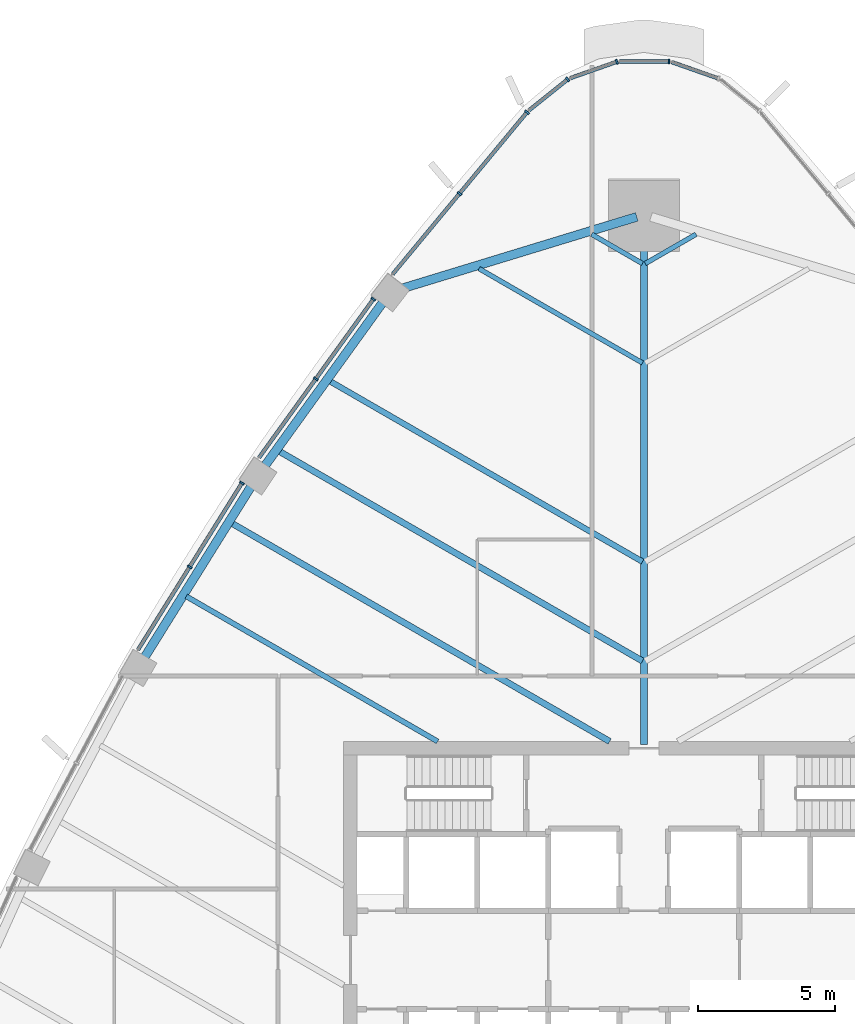
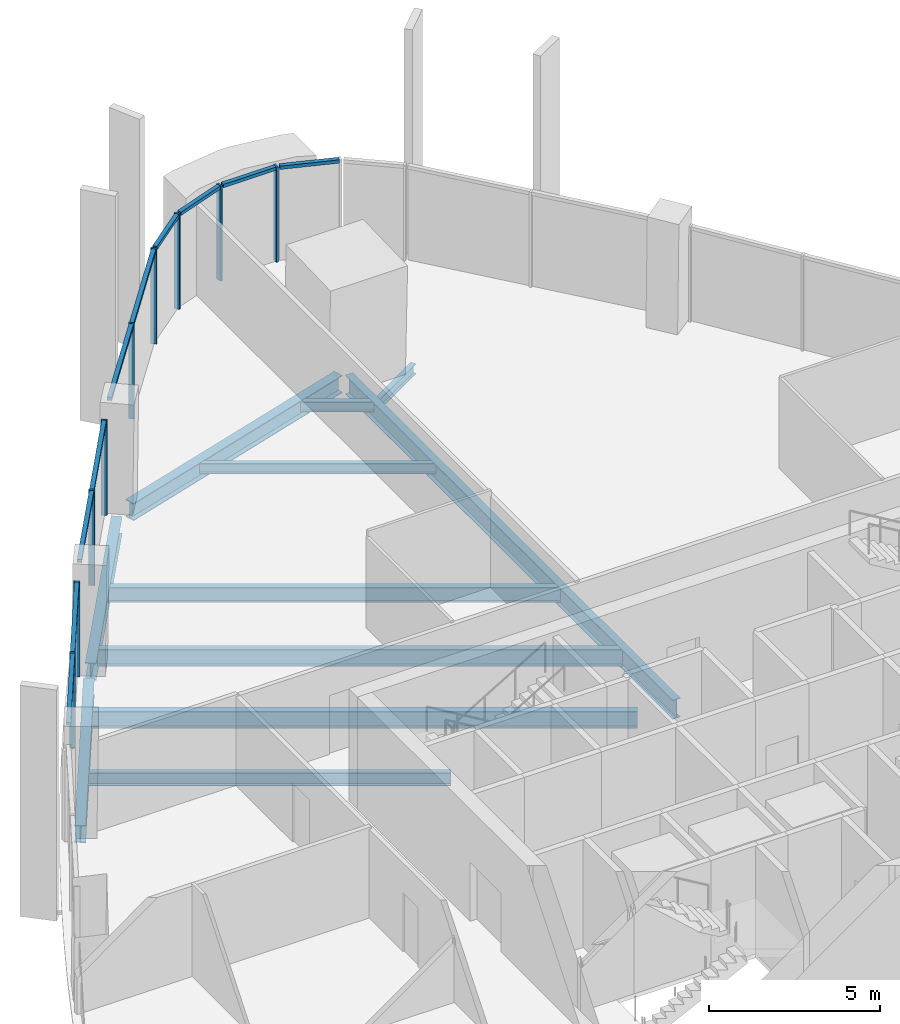
# One storey, part 6 of 19: 19 members, 11 beams, 7 elements without a shape of their own.
"""IFC4 building model written with IfcOpenShell, lengths in metres."""

import ifcopenshell
import ifcopenshell.guid

model = None  # the IFC model being written
_history = None  # IfcOwnerHistory: only IFC2X3 demands one
_inside = {}  # id of a spatial element -> (the spatial element, [elements in it])
_under = {}  # id of a project, library or spatial element -> (it, [spatial elements below it])
_declared = {}  # id of a project -> (the project, [libraries it declares])
_typed = {}  # id of a type object -> (the type object, [elements of that type])
_made_of = {}  # id of a material, layer set ... -> (it, [elements and type objects made of it])


def new_model(schema):
    """Start an empty IFC model of exactly this schema.

    Asked for "IFC4X3", IfcOpenShell would pick the latest addendum, in which some entities
    have other attributes; the version numbers below select the first issue.
    IFC2X3 requires an IfcOwnerHistory on every rooted entity: one is made here for all.
    """
    global model, _history
    if schema == "IFC4X3":
        model = ifcopenshell.file(schema_version=(4, 3, 0, 0))
    else:
        model = ifcopenshell.file(schema=schema)
    _inside.clear()
    _under.clear()
    _declared.clear()
    _typed.clear()
    _made_of.clear()
    _history = None
    if model.schema == "IFC2X3":
        org = make("IfcOrganization", Name="unknown")
        user = make(
            "IfcPersonAndOrganization",
            ThePerson=make("IfcPerson", FamilyName="unknown"),
            TheOrganization=org,
        )
        app = make(
            "IfcApplication",
            ApplicationDeveloper=org,
            Version="unknown",
            ApplicationFullName="unknown",
            ApplicationIdentifier="unknown",
        )
        _history = make(
            "IfcOwnerHistory",
            OwningUser=user,
            OwningApplication=app,
            ChangeAction="ADDED",
            CreationDate=0,
        )
    return model


def make(cls, **values):
    """One entity of the class cls with the attributes given. An attribute that is None is left unset."""
    return model.create_entity(
        cls, **{name: value for name, value in values.items() if value is not None}
    )


def rooted(cls, **values):
    """An entity with a GlobalId (a new one), such as an element, a storey or a relation."""
    return make(cls, GlobalId=ifcopenshell.guid.new(), OwnerHistory=_history, **values)


def si_unit(unit_type, name, prefix=None):
    """IfcSIUnit, for example si_unit("LENGTHUNIT", "METRE", prefix="MILLI")."""
    return make("IfcSIUnit", UnitType=unit_type, Prefix=prefix, Name=name)


def assignment(units):
    """IfcUnitAssignment: the units of a project."""
    return None if units is None else make("IfcUnitAssignment", Units=units)


def point(xyz):
    """IfcCartesianPoint."""
    return None if xyz is None else make("IfcCartesianPoint", Coordinates=xyz)


def direction(xyz):
    """IfcDirection."""
    return None if xyz is None else make("IfcDirection", DirectionRatios=xyz)


def frame(location, z_axis=None, x_axis=None):
    """IfcAxis2Placement3D, a coordinate frame: its origin and axes. An axis left out is left unset."""
    return make(
        "IfcAxis2Placement3D",
        Location=point(location),
        Axis=direction(z_axis),
        RefDirection=direction(x_axis),
    )


def frame_2d(location, x_axis=None):
    """IfcAxis2Placement2D, a coordinate frame in the plane: its origin and x axis."""
    return make(
        "IfcAxis2Placement2D", Location=point(location), RefDirection=direction(x_axis)
    )


def origin():
    """The frame at (0, 0, 0) with its axes left unset."""
    return frame((0.0, 0.0, 0.0))


def origin_2d():
    """The frame at (0, 0) in the plane with its x axis left unset."""
    return frame_2d((0.0, 0.0))


def place(relative_to, where):
    """IfcLocalPlacement: puts the frame where relative to a parent placement (None: the world)."""
    return make(
        "IfcLocalPlacement", PlacementRelTo=relative_to, RelativePlacement=where
    )


def context(
    kind, dimensions, precision=None, world=None, true_north=None, identifier=None
):
    """IfcGeometricRepresentationContext, for example the 3D "Model" context."""
    return make(
        "IfcGeometricRepresentationContext",
        ContextIdentifier=identifier,
        ContextType=kind,
        CoordinateSpaceDimension=dimensions,
        Precision=precision,
        WorldCoordinateSystem=world,
        TrueNorth=true_north,
    )


def subcontext(parent, identifier, kind, view, scale=None):
    """IfcGeometricRepresentationSubContext, for example "Body" below "Model"."""
    return make(
        "IfcGeometricRepresentationSubContext",
        ContextIdentifier=identifier,
        ContextType=kind,
        ParentContext=parent,
        TargetScale=scale,
        TargetView=view,
    )


def project(units=None, contexts=None):
    """IfcProject with its units and contexts."""
    return rooted(
        "IfcProject",
        Name="project",
        RepresentationContexts=contexts,
        UnitsInContext=assignment(units),
    )


def spatial(cls, under=None, at=None, **own):
    """A site, building, storey or space (cls), placed at a placement, below another one or the project."""
    s = rooted(cls, ObjectPlacement=at, **own)
    if under is not None:
        _under.setdefault(under.id(), (under, []))[1].append(s)
    return s


def profile(cls, at=None, kind="AREA", **sizes):
    """A parametric profile (cls). Its sizes go by their IFC names, for example OverallWidth=200.0."""
    return make(cls, ProfileType=kind, Position=at, **sizes)


def rectangle(**sizes):
    """IfcRectangleProfileDef."""
    return profile("IfcRectangleProfileDef", **sizes)


def i_section(**sizes):
    """IfcIShapeProfileDef."""
    return profile("IfcIShapeProfileDef", **sizes)


def extrude(swept, where, along, depth):
    """IfcExtrudedAreaSolid: the profile swept, set in the frame where, extruded along a direction by depth."""
    return make(
        "IfcExtrudedAreaSolid",
        SweptArea=swept,
        Position=where,
        ExtrudedDirection=direction(along),
        Depth=depth,
    )


def shape(context_of_items, identifier, shape_type, items):
    """IfcShapeRepresentation: the items that make up one representation, for example the "Body"."""
    return make(
        "IfcShapeRepresentation",
        ContextOfItems=context_of_items,
        RepresentationIdentifier=identifier,
        RepresentationType=shape_type,
        Items=items,
    )


def material(Name=None, Category=None):
    """IfcMaterial."""
    return make("IfcMaterial", Name=Name, Category=Category)


def layer(
    of_material, thickness, ventilated=None, Name=None, Category=None, Priority=None
):
    """IfcMaterialLayer: one layer of a wall or slab, of a material (None: an air gap)."""
    return make(
        "IfcMaterialLayer",
        Material=of_material,
        LayerThickness=thickness,
        IsVentilated=ventilated,
        Name=Name,
        Category=Category,
        Priority=Priority,
    )


def layer_set(layers, Name=None):
    """IfcMaterialLayerSet."""
    return make("IfcMaterialLayerSet", MaterialLayers=layers, LayerSetName=Name)


def material_profile(
    of_material, cross_section, Name=None, Category=None, Priority=None
):
    """IfcMaterialProfile: a cross section and its material."""
    return make(
        "IfcMaterialProfile",
        Name=Name,
        Material=of_material,
        Profile=cross_section,
        Priority=Priority,
        Category=Category,
    )


def profile_set(profiles, Name=None, composite=None):
    """IfcMaterialProfileSet."""
    return make(
        "IfcMaterialProfileSet",
        Name=Name,
        MaterialProfiles=profiles,
        CompositeProfile=composite,
    )


def made_of(thing, what):
    """Note that an element or type object is made of a material, layer set ...; save() writes the relation."""
    if what is not None:
        _made_of.setdefault(what.id(), (what, []))[1].append(thing)
    return thing


def type_object(cls, material=None, **own):
    """A type object (cls), such as IfcWallType, which elements share."""
    return made_of(rooted(cls, **own), material)


def element(
    cls,
    number,
    at=None,
    inside=None,
    cuts=None,
    type_object=None,
    material=None,
    context=None,
    identifier="Body",
    shape_type=None,
    held_by="IfcProductDefinitionShape",
    body=None,
    shapes=None,
    **own,
):
    """One element of the class cls, such as IfcWall. Its Tag is "e" and its number.

    at: its placement. inside: the storey or other place that contains it. cuts: it is an
    opening in that element (IfcRelVoidsElement). A single representation is given by context,
    identifier, shape_type and body (its items); several are given by shapes. held_by: the class
    of the entity that holds the representations. save() writes the other relations.
    """
    e = rooted(cls, Tag="e%d" % number, ObjectPlacement=at, **own)
    if body is not None:
        shapes = [shape(context, identifier, shape_type, body)]
    if shapes is not None:
        e.Representation = make(held_by, Representations=shapes)
    if inside is not None:
        _inside.setdefault(inside.id(), (inside, []))[1].append(e)
    if cuts is not None:
        rooted(
            "IfcRelVoidsElement", RelatingBuildingElement=cuts, RelatedOpeningElement=e
        )
    if type_object is not None:
        _typed.setdefault(type_object.id(), (type_object, []))[1].append(e)
    return made_of(e, material)


def aggregate(whole, parts):
    """IfcRelAggregates: a whole, such as a stair, and the parts it consists of."""
    return rooted("IfcRelAggregates", RelatingObject=whole, RelatedObjects=parts)


def save(model, path):
    """Write the relations noted so far, then the file.

    IfcRelAggregates (storeys below a building ...), IfcRelContainedInSpatialStructure (elements
    in a storey), IfcRelDefinesByType, IfcRelAssociatesMaterial and IfcRelDeclares: one each for
    every whole, place, type object, material and project.
    """
    for whole, parts in _under.values():
        aggregate(whole, parts)
    for where, things in _inside.values():
        rooted(
            "IfcRelContainedInSpatialStructure",
            RelatedElements=things,
            RelatingStructure=where,
        )
    for kind, things in _typed.values():
        rooted("IfcRelDefinesByType", RelatedObjects=things, RelatingType=kind)
    for what, things in _made_of.values():
        rooted("IfcRelAssociatesMaterial", RelatedObjects=things, RelatingMaterial=what)
    for by, libraries in _declared.values():
        rooted("IfcRelDeclares", RelatingContext=by, RelatedDefinitions=libraries)
    model.write(path)


model = new_model("IFC4")

# Units and contexts
model_context = context("Model", 3, precision=1e-05, world=origin(), true_north=direction((0.0, 1.0)))
body_context = subcontext(model_context, "Body", "Model", "MODEL_VIEW")
ifc_project = project(units=[si_unit("LENGTHUNIT", "METRE"), si_unit("AREAUNIT", "SQUARE_METRE"), si_unit("VOLUMEUNIT", "CUBIC_METRE"), si_unit("PLANEANGLEUNIT", "RADIAN"), si_unit("MASSUNIT", "GRAM", prefix="KILO")], contexts=[model_context])

# Site, building, storey
site_placement = place(None, origin())
site = spatial("IfcSite", under=ifc_project, at=site_placement, CompositionType="ELEMENT")
building_placement = place(site_placement, origin())
building = spatial("IfcBuilding", under=site, at=building_placement, Name="Sierra Prisma Convention Tower", CompositionType="ELEMENT")
storey_placement = place(building_placement, frame((0.0, 0.0, 177.800048828125)))
storey = spatial("IfcBuildingStorey", under=building, at=storey_placement, Name="L39", CompositionType="ELEMENT", Elevation=177.800048828125)

# Curtain wall, member
ifc_material_1 = material(Name="Aluminium and glass curtain wall", Category="aluminium")
ifc_layer = layer(ifc_material_1, 0.179931640625)
ifc_layer_set = layer_set([ifc_layer], Name="CW-1 Plain shaft curtain wall")
curtain_wall_type = type_object("IfcCurtainWallType", Name="CW-1 Plain shaft curtain wall", PredefinedType="NOTDEFINED", material=ifc_layer_set)
curtain_wall_1_placement = place(storey_placement, origin())
curtain_wall_1 = element("IfcCurtainWall", 1, at=curtain_wall_1_placement, inside=storey, type_object=curtain_wall_type, Name="CW-1 N3 L39", PredefinedType="NOTDEFINED")
ifc_material_2 = material(Name="Aluminium 6063-T6 bronze anodised", Category="aluminium")
ifc_material_profile_1 = material_profile(ifc_material_2, rectangle(XDim=0.179931640625, YDim=0.070068359375, at=origin_2d()), Name="ALU MULLION 70x180")
ifc_profile_set_1 = profile_set([ifc_material_profile_1], Name="Aluminium 6063-T6 bronze anodised")
member_type_1 = type_object("IfcMemberType", Name="CW mullion bronze", PredefinedType="MULLION", material=ifc_profile_set_1)
member_1_placement = place(storey_placement, frame((0.922119140625, 32.9033203125, 0.0), z_axis=(0.0, 0.0, 1.0), x_axis=(0.0, -1.0, 0.0)))
member_1 = element("IfcMember", 2, at=member_1_placement, type_object=member_type_1, Name="CW-1 mullion N3.1", PredefinedType="MULLION", context=body_context, shape_type="SweptSolid", body=[
    extrude(rectangle(XDim=0.179931640625, YDim=0.070068359375, at=origin_2d()), origin(), (0.0, 0.0, 1.0), 3.39990234375),
])

curtain_wall_2_placement = place(storey_placement, origin())
curtain_wall_2 = element("IfcCurtainWall", 3, at=curtain_wall_2_placement, inside=storey, type_object=curtain_wall_type, Name="CW-1 N4 L39", PredefinedType="NOTDEFINED")
member_2_placement = place(storey_placement, frame((-0.989990234375, 32.8916015625, 0.0), z_axis=(0.0, 0.0, 1.0), x_axis=(0.331436339558, -0.943477584694, 0.0)))
member_2 = element("IfcMember", 4, at=member_2_placement, type_object=member_type_1, Name="CW-1 mullion N4.1", PredefinedType="MULLION", context=body_context, shape_type="SweptSolid", body=[
    extrude(rectangle(XDim=0.179931640625, YDim=0.070068359375, at=origin_2d()), origin(), (0.0, 0.0, 1.0), 3.39990234375),
])

curtain_wall_3_placement = place(storey_placement, origin())
curtain_wall_3 = element("IfcCurtainWall", 5, at=curtain_wall_3_placement, inside=storey, type_object=curtain_wall_type, Name="CW-1 N5 L39", PredefinedType="NOTDEFINED")
member_3_placement = place(storey_placement, frame((-2.790283203125, 32.2470703125, 0.0), z_axis=(0.0, 0.0, 1.0), x_axis=(0.625405514252, -0.780299905641, 0.0)))
member_3 = element("IfcMember", 6, at=member_3_placement, type_object=member_type_1, Name="CW-1 mullion N5.1", PredefinedType="MULLION", context=body_context, shape_type="SweptSolid", body=[
    extrude(rectangle(XDim=0.179931640625, YDim=0.070068359375, at=origin_2d()), origin(), (0.0, 0.0, 1.0), 3.39990234375),
])

# Curtain wall, members
curtain_wall_4_placement = place(storey_placement, origin())
curtain_wall_4 = element("IfcCurtainWall", 7, at=curtain_wall_4_placement, inside=storey, type_object=curtain_wall_type, Name="CW-1 NW1 L39", PredefinedType="NOTDEFINED")
member_4_placement = place(storey_placement, frame((-4.27880859375, 31.044921875, 0.0), z_axis=(0.0, 0.0, 1.0), x_axis=(0.769677701385, -0.638432640136, 0.0)))
member_4 = element("IfcMember", 8, at=member_4_placement, type_object=member_type_1, Name="CW-1 mullion NW1.1", PredefinedType="MULLION", context=body_context, shape_type="SweptSolid", body=[
    extrude(rectangle(XDim=0.179931640625, YDim=0.070068359375, at=origin_2d()), origin(), (0.0, 0.0, 1.0), 3.39990234375),
])
member_5_placement = place(storey_placement, frame((-6.751220703125, 28.064208984375, 0.0), z_axis=(0.0, 0.0, 1.0), x_axis=(0.769677701385, -0.638432640136, 0.0)))
member_5 = element("IfcMember", 9, at=member_5_placement, type_object=member_type_1, Name="CW-1 mullion NW1.2", PredefinedType="MULLION", context=body_context, shape_type="SweptSolid", body=[
    extrude(rectangle(XDim=0.179931640625, YDim=0.070068359375, at=origin_2d()), origin(), (0.0, 0.0, 1.0), 3.39990234375),
])

curtain_wall_5_placement = place(storey_placement, origin())
curtain_wall_5 = element("IfcCurtainWall", 10, at=curtain_wall_5_placement, inside=storey, type_object=curtain_wall_type, Name="CW-1 NW2 L39", PredefinedType="NOTDEFINED")
member_6_placement = place(storey_placement, frame((-9.904296875, 24.20166015625, 0.0), z_axis=(0.0, 0.0, 1.0), x_axis=(0.811012496314, -0.585028829053, 0.0)))
member_6 = element("IfcMember", 11, at=member_6_placement, type_object=member_type_1, Name="CW-1 mullion NW2.1", PredefinedType="MULLION", context=body_context, shape_type="SweptSolid", body=[
    extrude(rectangle(XDim=0.179931640625, YDim=0.070068359375, at=origin_2d()), origin(), (0.0, 0.0, 1.0), 3.39990234375),
])
member_7_placement = place(storey_placement, frame((-12.0107421875, 21.281494140625, 0.0), z_axis=(0.0, 0.0, 1.0), x_axis=(0.811012496314, -0.585028829053, 0.0)))
member_7 = element("IfcMember", 12, at=member_7_placement, type_object=member_type_1, Name="CW-1 mullion NW2.2", PredefinedType="MULLION", context=body_context, shape_type="SweptSolid", body=[
    extrude(rectangle(XDim=0.179931640625, YDim=0.070068359375, at=origin_2d()), origin(), (0.0, 0.0, 1.0), 3.39990234375),
])

curtain_wall_6_placement = place(storey_placement, origin())
curtain_wall_6 = element("IfcCurtainWall", 13, at=curtain_wall_6_placement, inside=storey, type_object=curtain_wall_type, Name="CW-1 NW3 L39", PredefinedType="NOTDEFINED")
member_8_placement = place(storey_placement, frame((-14.7197265625, 17.462890625, 0.0), z_axis=(0.0, 0.0, 1.0), x_axis=(0.84864864254, -0.528956975108, 0.0)))
member_8 = element("IfcMember", 14, at=member_8_placement, type_object=member_type_1, Name="CW-1 mullion NW3.1", PredefinedType="MULLION", context=body_context, shape_type="SweptSolid", body=[
    extrude(rectangle(XDim=0.179931640625, YDim=0.070068359375, at=origin_2d()), origin(), (0.0, 0.0, 1.0), 3.39990234375),
])
member_9_placement = place(storey_placement, frame((-16.632568359375, 14.393798828125, 0.0), z_axis=(0.0, 0.0, 1.0), x_axis=(0.84864864254, -0.528956975108, 0.0)))
member_9 = element("IfcMember", 15, at=member_9_placement, type_object=member_type_1, Name="CW-1 mullion NW3.2", PredefinedType="MULLION", context=body_context, shape_type="SweptSolid", body=[
    extrude(rectangle(XDim=0.179931640625, YDim=0.070068359375, at=origin_2d()), origin(), (0.0, 0.0, 1.0), 3.39990234375),
])

# Curtain wall, member
curtain_wall_7_placement = place(storey_placement, origin())
curtain_wall_7 = element("IfcCurtainWall", 16, at=curtain_wall_7_placement, inside=storey, type_object=curtain_wall_type, Name="CW-1 N2 L39", PredefinedType="NOTDEFINED")
ifc_material_3 = material(Name="Aluminium 6063-T6 bronze anodised", Category="aluminium")
ifc_material_profile_2 = material_profile(ifc_material_3, rectangle(XDim=0.139892578125, YDim=0.1201171875, at=origin_2d()), Name="ALU TRANSOM 120x140")
ifc_profile_set_2 = profile_set([ifc_material_profile_2], Name="Aluminium 6063-T6 bronze anodised")
member_type_2 = type_object("IfcMemberType", Name="CW transom bronze", PredefinedType="USERDEFINED", material=ifc_profile_set_2)
member_10_placement = place(storey_placement, frame((2.69677734375, 32.2919921875, 3.33984375), z_axis=(-0.943439198285, 0.331545591345, 0.0), x_axis=(-0.331545591345, -0.943439198285, 0.0)))
member_10 = element("IfcMember", 17, at=member_10_placement, type_object=member_type_2, Name="CW-1 transom N2.1", ObjectType="TRANSOM", PredefinedType="USERDEFINED", context=body_context, shape_type="SweptSolid", body=[
    extrude(rectangle(XDim=0.139892578125, YDim=0.1201171875, at=origin_2d()), origin(), (0.0, 0.0, 1.0), 1.77392578125),
])
aggregate(curtain_wall_7, [member_10])

# Member
member_11_placement = place(storey_placement, frame((0.886962890625, 32.9033203125, 3.33984375), z_axis=(-1.0, 0.0, 0.0), x_axis=(0.0, -1.0, 0.0)))
member_11 = element("IfcMember", 18, at=member_11_placement, type_object=member_type_2, Name="CW-1 transom N3.1", ObjectType="TRANSOM", PredefinedType="USERDEFINED", context=body_context, shape_type="SweptSolid", body=[
    extrude(rectangle(XDim=0.139892578125, YDim=0.1201171875, at=origin_2d()), origin(), (0.0, 0.0, 1.0), 1.77392578125),
])

aggregate(curtain_wall_1, [member_1, member_11])

member_12_placement = place(storey_placement, frame((-1.023193359375, 32.880126953125, 3.33984375), z_axis=(-0.943439198285, -0.331545591345, 0.0), x_axis=(0.331545591345, -0.943439198285, 0.0)))
member_12 = element("IfcMember", 19, at=member_12_placement, type_object=member_type_2, Name="CW-1 transom N4.1", ObjectType="TRANSOM", PredefinedType="USERDEFINED", context=body_context, shape_type="SweptSolid", body=[
    extrude(rectangle(XDim=0.139892578125, YDim=0.1201171875, at=origin_2d()), origin(), (0.0, 0.0, 1.0), 1.77392578125),
])

aggregate(curtain_wall_2, [member_2, member_12])

member_13_placement = place(storey_placement, frame((-2.817626953125, 32.22509765625, 3.33984375), z_axis=(-0.780264290728, -0.62544994733, 0.0), x_axis=(0.62544994733, -0.780264290728, 0.0)))
member_13 = element("IfcMember", 20, at=member_13_placement, type_object=member_type_2, Name="CW-1 transom N5.1", ObjectType="TRANSOM", PredefinedType="USERDEFINED", context=body_context, shape_type="SweptSolid", body=[
    extrude(rectangle(XDim=0.139892578125, YDim=0.1201171875, at=origin_2d()), origin(), (0.0, 0.0, 1.0), 1.774169921875),
])

aggregate(curtain_wall_3, [member_3, member_13])

member_14_placement = place(storey_placement, frame((-4.301025390625, 31.017822265625, 3.33984375), z_axis=(-0.638477815793, -0.76964022682, 0.0), x_axis=(0.76964022682, -0.638477815793, 0.0)))
member_14 = element("IfcMember", 21, at=member_14_placement, type_object=member_type_2, Name="CW-1 transom NW1.1", ObjectType="TRANSOM", PredefinedType="USERDEFINED", context=body_context, shape_type="SweptSolid", body=[
    extrude(rectangle(XDim=0.139892578125, YDim=0.1201171875, at=origin_2d()), origin(), (0.0, 0.0, 1.0), 3.802734375),
])

member_15_placement = place(storey_placement, frame((-6.773681640625, 28.037109375, 3.33984375), z_axis=(-0.638439784311, -0.769671775375, 0.0), x_axis=(0.769671775375, -0.638439784311, 0.0)))
member_15 = element("IfcMember", 22, at=member_15_placement, type_object=member_type_2, Name="CW-1 transom NW1.2", ObjectType="TRANSOM", PredefinedType="USERDEFINED", context=body_context, shape_type="SweptSolid", body=[
    extrude(rectangle(XDim=0.139892578125, YDim=0.1201171875, at=origin_2d()), origin(), (0.0, 0.0, 1.0), 3.802490234375),
])

aggregate(curtain_wall_4, [member_4, member_5, member_14, member_15])

member_16_placement = place(storey_placement, frame((-9.9248046875, 24.173095703125, 3.33984375), z_axis=(-0.585025890948, -0.811014615726, 0.0), x_axis=(0.811014615726, -0.585025890948, 0.0)))
member_16 = element("IfcMember", 23, at=member_16_placement, type_object=member_type_2, Name="CW-1 transom NW2.1", ObjectType="TRANSOM", PredefinedType="USERDEFINED", context=body_context, shape_type="SweptSolid", body=[
    extrude(rectangle(XDim=0.139892578125, YDim=0.1201171875, at=origin_2d()), origin(), (0.0, 0.0, 1.0), 3.530517578125),
])

member_17_placement = place(storey_placement, frame((-12.03125, 21.253173828125, 3.33984375), z_axis=(-0.585025890948, -0.811014615726, 0.0), x_axis=(0.811014615726, -0.585025890948, 0.0)))
member_17 = element("IfcMember", 24, at=member_17_placement, type_object=member_type_2, Name="CW-1 transom NW2.2", ObjectType="TRANSOM", PredefinedType="USERDEFINED", context=body_context, shape_type="SweptSolid", body=[
    extrude(rectangle(XDim=0.139892578125, YDim=0.1201171875, at=origin_2d()), origin(), (0.0, 0.0, 1.0), 3.530517578125),
])

aggregate(curtain_wall_5, [member_6, member_7, member_16, member_17])

member_18_placement = place(storey_placement, frame((-14.73828125, 17.433349609375, 3.33984375), z_axis=(-0.528958995283, -0.848647383375, 0.0), x_axis=(0.848647383375, -0.528958995283, 0.0)))
member_18 = element("IfcMember", 25, at=member_18_placement, type_object=member_type_2, Name="CW-1 transom NW3.1", ObjectType="TRANSOM", PredefinedType="USERDEFINED", context=body_context, shape_type="SweptSolid", body=[
    extrude(rectangle(XDim=0.139892578125, YDim=0.1201171875, at=origin_2d()), origin(), (0.0, 0.0, 1.0), 3.546630859375),
])

member_19_placement = place(storey_placement, frame((-16.651123046875, 14.3642578125, 3.33984375), z_axis=(-0.528958995283, -0.848647383375, 0.0), x_axis=(0.848647383375, -0.528958995283, 0.0)))
member_19 = element("IfcMember", 26, at=member_19_placement, type_object=member_type_2, Name="CW-1 transom NW3.2", ObjectType="TRANSOM", PredefinedType="USERDEFINED", context=body_context, shape_type="SweptSolid", body=[
    extrude(rectangle(XDim=0.139892578125, YDim=0.1201171875, at=origin_2d()), origin(), (0.0, 0.0, 1.0), 3.546630859375),
])

aggregate(curtain_wall_6, [member_8, member_9, member_18, member_19])

# Beams
ifc_material_4 = material(Name="Steel ASTM A992 Gr 50", Category="steel")
ifc_material_profile_3 = material_profile(ifc_material_4, i_section(OverallWidth=0.172119140625, OverallDepth=0.35791015625, WebThickness=0.0078125, FlangeThickness=0.01318359375, at=origin_2d()), Name="W360x57")
ifc_profile_set_3 = profile_set([ifc_material_profile_3], Name="Steel ASTM A992 Gr 50")
beam_type_1 = type_object("IfcBeamType", Name="Floor joist W360x57", PredefinedType="JOIST", material=ifc_profile_set_3)
for number, where, z_axis, x_axis, name in (
    (27, (1.91259765625, 26.576171875, -0.3291015625), (-0.866019166195, -0.500010803666, 0.0), (0.500010803666, -0.866019166195, 0.0), "Floor joist L39 NE15"),
    (28, (-1.91259765625, 26.576171875, -0.3291015625), (0.866019166195, -0.500010803666, 0.0), (0.500010803666, 0.866019166195, 0.0), "Floor joist L39 NW01"),
):
    element("IfcBeam", number, at=place(storey_placement, frame(where, z_axis=z_axis, x_axis=x_axis)), inside=storey, type_object=beam_type_1, Name=name, PredefinedType="JOIST", context=body_context, shape_type="SweptSolid", body=[
        extrude(i_section(OverallWidth=0.172119140625, OverallDepth=0.35791015625, WebThickness=0.0078125, FlangeThickness=0.01318359375, at=origin_2d()), origin(), (0.0, 0.0, 1.0), 2.14990234375),
    ])
beam_1_placement = place(storey_placement, frame((-6.0361328125, 25.318115234375, -0.3291015625), z_axis=(0.866030286288, -0.49999154316, 0.0), x_axis=(0.49999154316, 0.866030286288, 0.0)))
element("IfcBeam", 29, at=beam_1_placement, inside=storey, type_object=beam_type_1, Name="Floor joist L39 NW02", PredefinedType="JOIST", context=body_context, shape_type="SweptSolid", body=[
    extrude(i_section(OverallWidth=0.172119140625, OverallDepth=0.35791015625, WebThickness=0.0078125, FlangeThickness=0.01318359375, at=origin_2d()), origin(), (0.0, 0.0, 1.0), 6.9111328125),
])
ifc_material_5 = material(Name="Steel ASTM A992 Gr 50", Category="steel")
ifc_material_profile_4 = material_profile(ifc_material_5, i_section(OverallWidth=0.18994140625, OverallDepth=0.45703125, WebThickness=0.009033203125, FlangeThickness=0.014404296875, at=origin_2d()), Name="W460x74")
ifc_profile_set_4 = profile_set([ifc_material_profile_4], Name="Steel ASTM A992 Gr 50")
beam_type_2 = type_object("IfcBeamType", Name="Floor joist W460x74", PredefinedType="JOIST", material=ifc_profile_set_4)
beam_2_placement = place(storey_placement, frame((-16.760009765625, 13.3154296875, -0.378662109375), z_axis=(0.86601845549, -0.500012034605, 0.0), x_axis=(0.500012034605, 0.86601845549, 0.0)))
element("IfcBeam", 30, at=beam_2_placement, inside=storey, type_object=beam_type_2, Name="Floor joist L39 NW07", PredefinedType="JOIST", context=body_context, shape_type="SweptSolid", body=[
    extrude(i_section(OverallWidth=0.18994140625, OverallDepth=0.45703125, WebThickness=0.009033203125, FlangeThickness=0.014404296875, at=origin_2d()), origin(), (0.0, 0.0, 1.0), 10.630615234375),
])
ifc_material_6 = material(Name="Steel ASTM A992 Gr 50", Category="steel")
ifc_material_profile_5 = material_profile(ifc_material_6, i_section(OverallWidth=0.208984375, OverallDepth=0.532958984375, WebThickness=0.01025390625, FlangeThickness=0.015625, at=origin_2d()), Name="W530x92")
ifc_profile_set_5 = profile_set([ifc_material_profile_5], Name="Steel ASTM A992 Gr 50")
beam_type_3 = type_object("IfcBeamType", Name="Floor joist W530x92", PredefinedType="JOIST", material=ifc_profile_set_5)
beam_3_placement = place(storey_placement, frame((-11.501953125, 21.196044921875, -0.41650390625), z_axis=(0.86602569981, -0.499999487269, 0.0), x_axis=(0.499999487269, 0.86602569981, 0.0)))
element("IfcBeam", 31, at=beam_3_placement, inside=storey, type_object=beam_type_3, Name="Floor joist L39 NW04", PredefinedType="JOIST", context=body_context, shape_type="SweptSolid", body=[
    extrude(i_section(OverallWidth=0.208984375, OverallDepth=0.532958984375, WebThickness=0.01025390625, FlangeThickness=0.015625, at=origin_2d()), origin(), (0.0, 0.0, 1.0), 13.22265625),
])
ifc_material_7 = material(Name="Steel ASTM A992 Gr 50", Category="steel")
ifc_material_profile_6 = material_profile(ifc_material_7, i_section(OverallWidth=0.22802734375, OverallDepth=0.60302734375, WebThickness=0.010498046875, FlangeThickness=0.014892578125, at=origin_2d()), Name="W610x101")
ifc_profile_set_6 = profile_set([ifc_material_profile_6], Name="Steel ASTM A992 Gr 50")
beam_type_4 = type_object("IfcBeamType", Name="Floor joist W610x101", PredefinedType="JOIST", material=ifc_profile_set_6)
beam_4_placement = place(storey_placement, frame((-13.355224609375, 18.627197265625, -0.45166015625), z_axis=(0.866023359463, -0.500003540853, 0.0), x_axis=(0.500003540853, 0.866023359463, 0.0)))
element("IfcBeam", 32, at=beam_4_placement, inside=storey, type_object=beam_type_4, Name="Floor joist L39 NW05", PredefinedType="JOIST", context=body_context, shape_type="SweptSolid", body=[
    extrude(i_section(OverallWidth=0.22802734375, OverallDepth=0.60302734375, WebThickness=0.010498046875, FlangeThickness=0.014892578125, at=origin_2d()), origin(), (0.0, 0.0, 1.0), 15.36279296875),
])
beam_5_placement = place(storey_placement, frame((-15.09228515625, 15.9912109375, -0.45166015625), z_axis=(0.866027362729, -0.499996606993, 0.0), x_axis=(0.499996606993, 0.866027362729, 0.0)))
element("IfcBeam", 33, at=beam_5_placement, inside=storey, type_object=beam_type_4, Name="Floor joist L39 NW06", PredefinedType="JOIST", context=body_context, shape_type="SweptSolid", body=[
    extrude(i_section(OverallWidth=0.22802734375, OverallDepth=0.60302734375, WebThickness=0.010498046875, FlangeThickness=0.014892578125, at=origin_2d()), origin(), (0.0, 0.0, 1.0), 15.982421875),
])
ifc_material_8 = material(Name="Steel ASTM A992 Gr 50", Category="steel")
ifc_material_profile_7 = material_profile(ifc_material_8, i_section(OverallWidth=0.25390625, OverallDepth=0.68408203125, WebThickness=0.012451171875, FlangeThickness=0.018798828125, at=origin_2d()), Name="W690x140")
ifc_profile_set_7 = profile_set([ifc_material_profile_7], Name="Steel ASTM A992 Gr 50")
beam_type_5 = type_object("IfcBeamType", Name="Radial girder W690x140", PredefinedType="BEAM", material=ifc_profile_set_7)
beam_6_placement = place(storey_placement, frame((0.0, 27.031494140625, -0.491943359375), z_axis=(0.0, -1.0, 0.0), x_axis=(1.0, 0.0, 0.0)))
element("IfcBeam", 34, at=beam_6_placement, inside=storey, type_object=beam_type_5, Name="Radial girder L39 N", PredefinedType="BEAM", context=body_context, shape_type="SweptSolid", body=[
    extrude(i_section(OverallWidth=0.25390625, OverallDepth=0.68408203125, WebThickness=0.012451171875, FlangeThickness=0.018798828125, at=origin_2d()), origin(), (0.0, 0.0, 1.0), 19.151611328125),
])
ifc_material_9 = material(Name="Steel ASTM A992 Gr 50", Category="steel")
ifc_material_profile_8 = material_profile(ifc_material_9, i_section(OverallWidth=0.324951171875, OverallDepth=0.615966796875, WebThickness=0.013916015625, FlangeThickness=0.021484375, at=origin_2d()), Name="W610x174")
ifc_profile_set_8 = profile_set([ifc_material_profile_8], Name="Steel ASTM A992 Gr 50")
beam_type_6 = type_object("IfcBeamType", Name="Spandrel beam W610x174", PredefinedType="BEAM", material=ifc_profile_set_8)
beam_7_placement = place(storey_placement, frame((-0.260009765625, 27.212158203125, -0.4580078125), z_axis=(-0.956466098734, -0.291843454565, 0.0), x_axis=(0.291843454565, -0.956466098734, 0.0)))
element("IfcBeam", 35, at=beam_7_placement, inside=storey, type_object=beam_type_6, Name="Spandrel L39-13", PredefinedType="BEAM", context=body_context, shape_type="SweptSolid", body=[
    extrude(i_section(OverallWidth=0.324951171875, OverallDepth=0.615966796875, WebThickness=0.013916015625, FlangeThickness=0.021484375, at=origin_2d()), origin(), (0.0, 0.0, 1.0), 8.94677734375),
])
beam_8_placement = place(storey_placement, frame((-9.510986328125, 24.14892578125, -0.4580078125), z_axis=(-0.58503122875, -0.811010765272, 0.0), x_axis=(0.811010765272, -0.58503122875, 0.0)))
element("IfcBeam", 36, at=beam_8_placement, inside=storey, type_object=beam_type_6, Name="Spandrel L39-14", PredefinedType="BEAM", context=body_context, shape_type="SweptSolid", body=[
    extrude(i_section(OverallWidth=0.324951171875, OverallDepth=0.615966796875, WebThickness=0.013916015625, FlangeThickness=0.021484375, at=origin_2d()), origin(), (0.0, 0.0, 1.0), 7.53125),
])
beam_9_placement = place(storey_placement, frame((-14.340576171875, 17.409912109375, -0.4580078125), z_axis=(-0.528961237462, -0.848645985829, 0.0), x_axis=(0.848645985829, -0.528961237462, 0.0)))
element("IfcBeam", 37, at=beam_9_placement, inside=storey, type_object=beam_type_6, Name="Spandrel L39-15", PredefinedType="BEAM", context=body_context, shape_type="SweptSolid", body=[
    extrude(i_section(OverallWidth=0.324951171875, OverallDepth=0.615966796875, WebThickness=0.013916015625, FlangeThickness=0.021484375, at=origin_2d()), origin(), (0.0, 0.0, 1.0), 7.531494140625),
])

save(model, "model.ifc")
